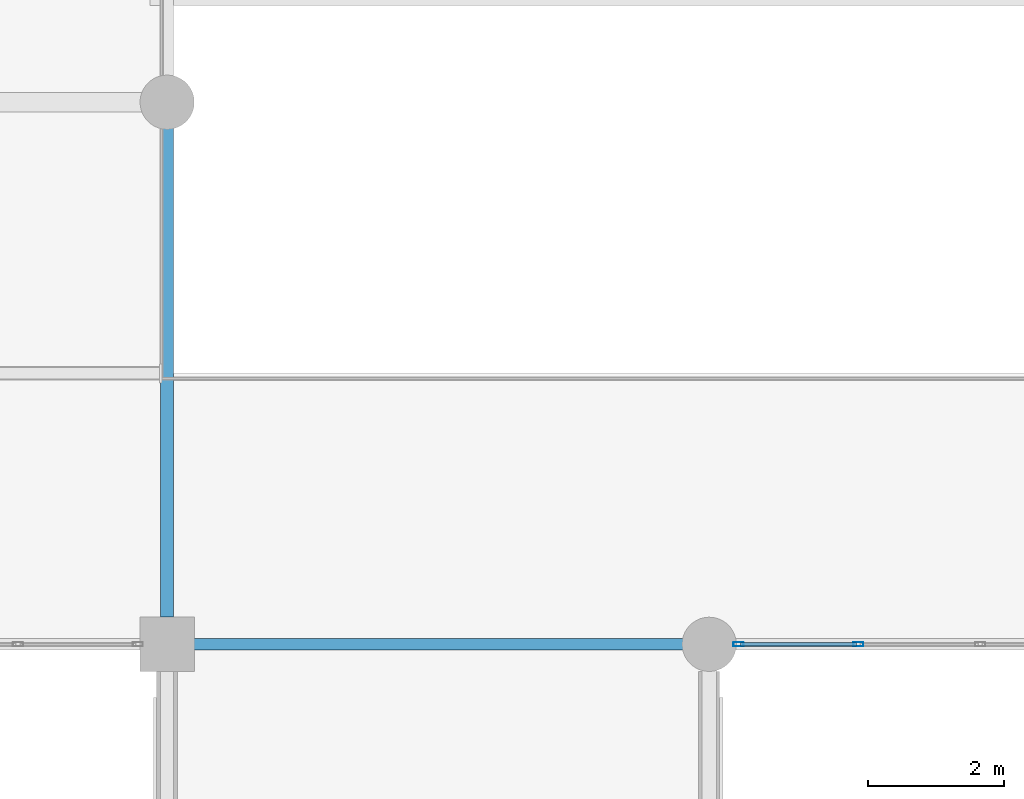
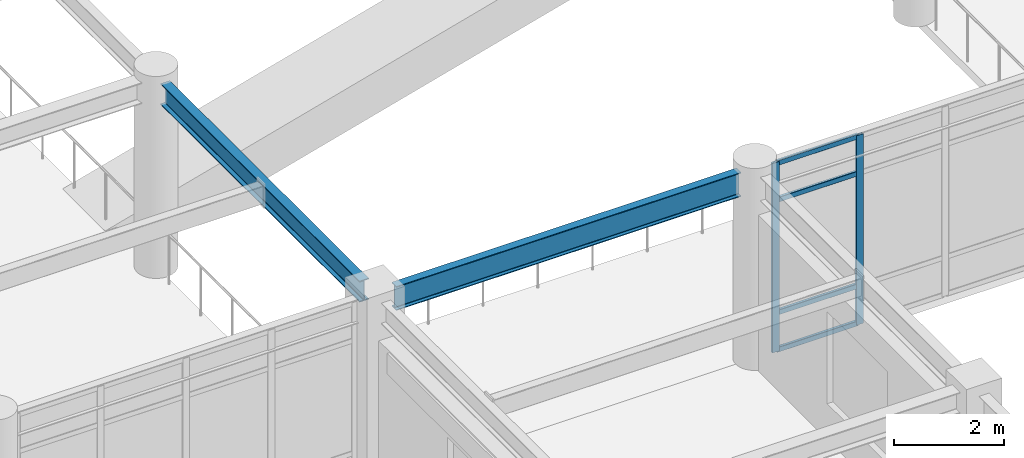
# One storey, part 22 of 93: 6 members, 2 beams, 1 element without a shape of its own.
"""IFC4 building model written with IfcOpenShell, lengths in metres."""

from ifc_helpers import new_model, si_unit, direction, frame, origin, origin_2d, place, context, subcontext, project, spatial, hollow_rectangle, i_section, extrude, material, material_profile, profile_set, type_object, element, aggregate, save


model = new_model("IFC4")

# Units and contexts
model_context = context("Model", 3, precision=1e-05, world=origin(), true_north=direction((0.0, 1.0)))
body_context = subcontext(model_context, "Body", "Model", "MODEL_VIEW")
ifc_project = project(units=[si_unit("LENGTHUNIT", "METRE"), si_unit("AREAUNIT", "SQUARE_METRE"), si_unit("VOLUMEUNIT", "CUBIC_METRE"), si_unit("PLANEANGLEUNIT", "RADIAN"), si_unit("MASSUNIT", "GRAM", prefix="KILO")], contexts=[model_context])

# Site, building, storey
site_placement = place(None, origin())
site = spatial("IfcSite", under=ifc_project, at=site_placement, CompositionType="ELEMENT")
building_placement = place(site_placement, origin())
building = spatial("IfcBuilding", under=site, at=building_placement, Name="Solmirada Galleria", CompositionType="ELEMENT")
storey_placement = place(building_placement, frame((0.0, 0.0, 14.89990234375)))
storey = spatial("IfcBuildingStorey", under=building, at=storey_placement, Name="L03", CompositionType="ELEMENT", Elevation=14.89990234375)

# Beams
ifc_material_1 = material(Name="Steel S355 / ASTM A992 Grade 50", Category="steel")
ifc_material_profile_1 = material_profile(ifc_material_1, i_section(OverallWidth=0.194091796875, OverallDepth=0.468994140625, WebThickness=0.0126953125, FlangeThickness=0.0205078125, FilletRadius=0.013916015625, at=origin_2d()), Name="W18X71")
ifc_profile_set_1 = profile_set([ifc_material_profile_1], Name="Steel S355 / ASTM A992 Grade 50")
beam_type_1 = type_object("IfcBeamType", Name="BM-GIRD-W18B", PredefinedType="BEAM", material=ifc_profile_set_1)
beam_1_placement = place(storey_placement, frame((88.0, 48.39990234375, 4.065673828125), z_axis=(0.0, 1.0, 0.0), x_axis=(-1.0, 0.0, 0.0)))
element("IfcBeam", 1, at=beam_1_placement, inside=storey, type_object=beam_type_1, Name="Primary girder L04 Y(88, 48..56)", PredefinedType="BEAM", context=body_context, shape_type="SweptSolid", body=[
    extrude(i_section(OverallWidth=0.194091796875, OverallDepth=0.468994140625, WebThickness=0.0126953125, FlangeThickness=0.0205078125, FilletRadius=0.013916015625, at=origin_2d()), origin(), (0.0, 0.0, 1.0), 7.26416015625),
])
ifc_material_profile_2 = material_profile(ifc_material_1, i_section(OverallWidth=0.1669921875, OverallDepth=0.534912109375, WebThickness=0.01025390625, FlangeThickness=0.0166015625, FilletRadius=0.013916015625, at=origin_2d()), Name="W21X57")
ifc_profile_set_2 = profile_set([ifc_material_profile_2], Name="Steel S355 / ASTM A992 Grade 50")
beam_type_2 = type_object("IfcBeamType", Name="BM-GIRD-W21C", PredefinedType="BEAM", material=ifc_profile_set_2)
beam_2_placement = place(storey_placement, frame((88.39990234375, 48.0, 4.03271484375), z_axis=(1.0, 0.0, 0.0), x_axis=(0.0, 1.0, 0.0)))
element("IfcBeam", 2, at=beam_2_placement, inside=storey, type_object=beam_type_2, Name="Primary beam L04 X(88..96, 48)", PredefinedType="BEAM", context=body_context, shape_type="SweptSolid", body=[
    extrude(i_section(OverallWidth=0.1669921875, OverallDepth=0.534912109375, WebThickness=0.01025390625, FlangeThickness=0.0166015625, FilletRadius=0.013916015625, at=origin_2d()), origin(), (0.0, 0.0, 1.0), 7.26416015625),
])

# Curtain wall, members
ifc_material_2 = material(Name="Impact-resistant low-E double glazing", Category="glass")
curtain_wall_type = type_object("IfcCurtainWallType", Name="CW-FZ3-L03-B4-L072", PredefinedType="NOTDEFINED", material=ifc_material_2)
curtain_wall_placement = place(storey_placement, origin())
curtain_wall = element("IfcCurtainWall", 3, at=curtain_wall_placement, inside=storey, type_object=curtain_wall_type, Name="Terrace and arcade storefront CW-L03-135", PredefinedType="NOTDEFINED")
ifc_material_3 = material(Name="Anodised aluminium framing", Category="aluminium")
ifc_material_profile_3 = material_profile(ifc_material_3, hollow_rectangle(XDim=0.06005859375, YDim=0.14990234375, WallThickness=0.00341796875, InnerFilletRadius=0.00341796875, OuterFilletRadius=0.007080078125, at=origin_2d()), Name="ALU-MULL-150X60")
ifc_profile_set_3 = profile_set([ifc_material_profile_3], Name="Anodised aluminium framing")
member_type_1 = type_object("IfcMemberType", Name="CW-MULL-150", PredefinedType="MULLION", material=ifc_profile_set_3)
member_1_placement = place(storey_placement, frame((98.200927734375, 48.0, 0.0), z_axis=(0.0, 0.0, 1.0), x_axis=(0.0, -1.0, 0.0)))
member_1 = element("IfcMember", 4, at=member_1_placement, type_object=member_type_1, Name="CW27 mullion 4", PredefinedType="MULLION", context=body_context, shape_type="SweptSolid", body=[
    extrude(hollow_rectangle(XDim=0.06005859375, YDim=0.14990234375, WallThickness=0.00341796875, InnerFilletRadius=0.00341796875, OuterFilletRadius=0.007080078125, at=origin_2d()), origin(), (0.0, 0.0, 1.0), 4.22021484375),
])
member_2_placement = place(storey_placement, frame((96.431884765625, 48.0, 0.0), z_axis=(0.0, 0.0, 1.0), x_axis=(0.0, -1.0, 0.0)))
member_2 = element("IfcMember", 5, at=member_2_placement, type_object=member_type_1, Name="CW27 mullion 5", PredefinedType="MULLION", context=body_context, shape_type="SweptSolid", body=[
    extrude(hollow_rectangle(XDim=0.06005859375, YDim=0.14990234375, WallThickness=0.00341796875, InnerFilletRadius=0.00341796875, OuterFilletRadius=0.007080078125, at=origin_2d()), origin(), (0.0, 0.0, 1.0), 4.22021484375),
])
ifc_material_profile_4 = material_profile(ifc_material_3, hollow_rectangle(XDim=0.06005859375, YDim=0.110107421875, WallThickness=0.003173828125, InnerFilletRadius=0.003173828125, OuterFilletRadius=0.00634765625, at=origin_2d()), Name="ALU-TRAN-110X60")
ifc_profile_set_4 = profile_set([ifc_material_profile_4], Name="Anodised aluminium framing")
member_type_2 = type_object("IfcMemberType", Name="CW-TRAN-110", PredefinedType="USERDEFINED", material=ifc_profile_set_4)
member_3_placement = place(storey_placement, frame((98.1708984375, 48.0, 0.030029296875), z_axis=(-1.0, 0.0, 0.0), x_axis=(0.0, -1.0, 0.0)))
member_3 = element("IfcMember", 6, at=member_3_placement, type_object=member_type_2, Name="CW27 transom 4.1", ObjectType="TRANSOM", PredefinedType="USERDEFINED", context=body_context, shape_type="SweptSolid", body=[
    extrude(hollow_rectangle(XDim=0.06005859375, YDim=0.110107421875, WallThickness=0.003173828125, InnerFilletRadius=0.003173828125, OuterFilletRadius=0.00634765625, at=origin_2d()), origin(), (0.0, 0.0, 1.0), 1.708984375),
])
member_4_placement = place(storey_placement, frame((98.1708984375, 48.0, 0.860107421875), z_axis=(-1.0, 0.0, 0.0), x_axis=(0.0, -1.0, 0.0)))
member_4 = element("IfcMember", 7, at=member_4_placement, type_object=member_type_2, Name="CW27 transom 4.2", ObjectType="TRANSOM", PredefinedType="USERDEFINED", context=body_context, shape_type="SweptSolid", body=[
    extrude(hollow_rectangle(XDim=0.06005859375, YDim=0.110107421875, WallThickness=0.003173828125, InnerFilletRadius=0.003173828125, OuterFilletRadius=0.00634765625, at=origin_2d()), origin(), (0.0, 0.0, 1.0), 1.708984375),
])
member_5_placement = place(storey_placement, frame((98.1708984375, 48.0, 3.3701171875), z_axis=(-1.0, 0.0, 0.0), x_axis=(0.0, -1.0, 0.0)))
member_5 = element("IfcMember", 8, at=member_5_placement, type_object=member_type_2, Name="CW27 transom 4.3", ObjectType="TRANSOM", PredefinedType="USERDEFINED", context=body_context, shape_type="SweptSolid", body=[
    extrude(hollow_rectangle(XDim=0.06005859375, YDim=0.110107421875, WallThickness=0.003173828125, InnerFilletRadius=0.003173828125, OuterFilletRadius=0.00634765625, at=origin_2d()), origin(), (0.0, 0.0, 1.0), 1.708984375),
])
member_6_placement = place(storey_placement, frame((98.1708984375, 48.0, 4.190185546875), z_axis=(-1.0, 0.0, 0.0), x_axis=(0.0, -1.0, 0.0)))
member_6 = element("IfcMember", 9, at=member_6_placement, type_object=member_type_2, Name="CW27 transom 4.4", ObjectType="TRANSOM", PredefinedType="USERDEFINED", context=body_context, shape_type="SweptSolid", body=[
    extrude(hollow_rectangle(XDim=0.06005859375, YDim=0.110107421875, WallThickness=0.003173828125, InnerFilletRadius=0.003173828125, OuterFilletRadius=0.00634765625, at=origin_2d()), origin(), (0.0, 0.0, 1.0), 1.708984375),
])
aggregate(curtain_wall, [member_1, member_2, member_3, member_4, member_5, member_6])

save(model, "model.ifc")
